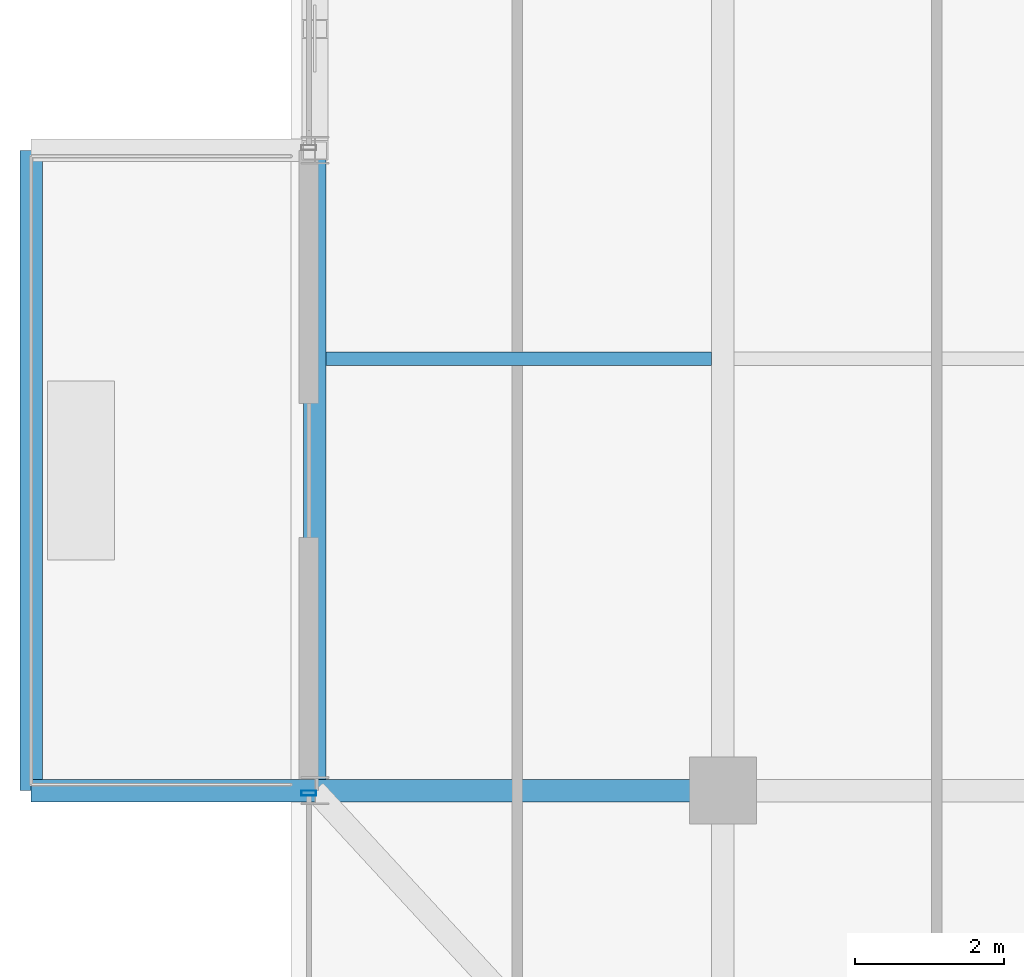
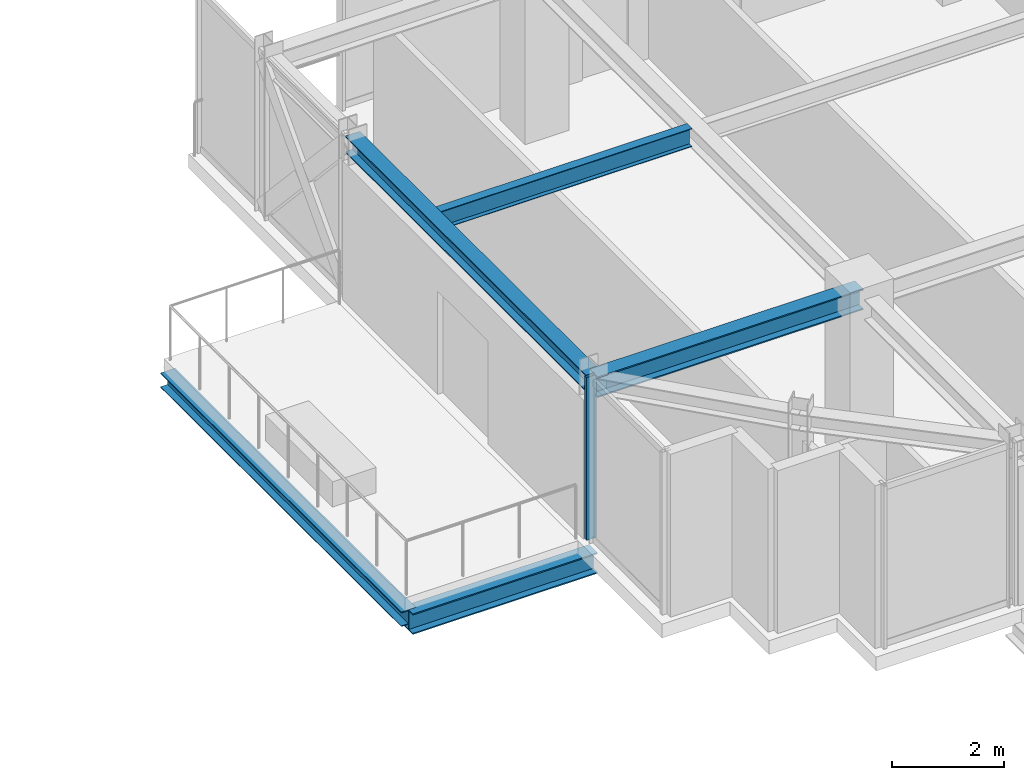
# One storey, part 5 of 37: 5 beams, 1 member, 1 element without a shape of its own.
"""IFC4 building model written with IfcOpenShell, lengths in metres."""

from ifc_helpers import new_model, si_unit, direction, frame, origin, origin_2d, place, context, subcontext, project, spatial, hollow_rectangle, i_section, extrude, source, transform, mapped, material, material_profile, profile_set, type_object, element, aggregate, save


model = new_model("IFC4")

# Units and contexts
model_context = context("Model", 3, precision=1e-05, world=origin(), true_north=direction((0.0, 1.0)))
body_context = subcontext(model_context, "Body", "Model", "MODEL_VIEW")
ifc_project = project(units=[si_unit("LENGTHUNIT", "METRE"), si_unit("AREAUNIT", "SQUARE_METRE"), si_unit("VOLUMEUNIT", "CUBIC_METRE"), si_unit("PLANEANGLEUNIT", "RADIAN"), si_unit("MASSUNIT", "GRAM", prefix="KILO")], contexts=[model_context])

# Site, building, storey
site_placement = place(None, origin())
site = spatial("IfcSite", under=ifc_project, at=site_placement, CompositionType="ELEMENT")
building_placement = place(site_placement, origin())
building = spatial("IfcBuilding", under=site, at=building_placement, Name="Nahalor Promenade Grand Hotel", CompositionType="ELEMENT")
storey_placement = place(building_placement, frame((0.0, 0.0, 308.050048828125)))
storey = spatial("IfcBuildingStorey", under=building, at=storey_placement, Name="L79", CompositionType="ELEMENT", Elevation=308.050048828125)

# Beams
ifc_material_1 = material(Name="Steel S355JR", Category="steel")
ifc_material_profile_1 = material_profile(ifc_material_1, i_section(OverallWidth=0.3, OverallDepth=0.32, WebThickness=0.0115, FlangeThickness=0.0205, at=origin_2d()), Name="HEB 320")
ifc_profile_set_1 = profile_set([ifc_material_profile_1], Name="Steel S355JR")
beam_type_1 = type_object("IfcBeamType", Name="Beam-BalcEdge-HEB320", PredefinedType="SPANDREL", material=ifc_profile_set_1)
shared_shape_1 = source(origin(), body_context, "Body", "SweptSolid", [
    extrude(i_section(OverallWidth=0.3, OverallDepth=0.32, WebThickness=0.0115, FlangeThickness=0.0205, at=origin_2d()), origin(), (0.0, 0.0, 1.0), 8.60009765625),
])
beam_1_placement = place(storey_placement, frame((-26.2900390625, -17.0, -0.43994140625), z_axis=(0.0, 1.0, 0.0), x_axis=(-1.0, 0.0, 0.0)))
element("IfcBeam", 1, at=beam_1_placement, inside=storey, type_object=beam_type_1, Name="BM-L79-BC-02-F", PredefinedType="SPANDREL", context=body_context, shape_type="MappedRepresentation", body=[
    mapped(shared_shape_1, transform((0.0, 0.0, 0.0), scale=1.0)),
])
ifc_material_profile_2 = material_profile(ifc_material_1, i_section(OverallWidth=0.3, OverallDepth=0.45, WebThickness=0.014, FlangeThickness=0.026, at=origin_2d()), Name="HEB 450")
ifc_profile_set_2 = profile_set([ifc_material_profile_2], Name="Steel S355JR")
beam_type_2 = type_object("IfcBeamType", Name="Beam-Outrigger-HEB450", PredefinedType="BEAM", material=ifc_profile_set_2)
shared_shape_2 = source(origin(), body_context, "Body", "SweptSolid", [
    extrude(i_section(OverallWidth=0.3, OverallDepth=0.45, WebThickness=0.014, FlangeThickness=0.026, at=origin_2d()), origin(), (0.0, 0.0, 1.0), 3.81005859375),
])
beam_2_placement = place(storey_placement, frame((-26.2900390625, -17.0, -0.505126953125), z_axis=(1.0, 0.0, 0.0), x_axis=(0.0, 1.0, 0.0)))
element("IfcBeam", 2, at=beam_2_placement, inside=storey, type_object=beam_type_2, Name="BM-L79-BC-02-1", PredefinedType="BEAM", context=body_context, shape_type="MappedRepresentation", body=[
    mapped(shared_shape_2, transform((0.0, 0.0, 0.0), scale=1.0)),
])
ifc_material_profile_3 = material_profile(ifc_material_1, i_section(OverallWidth=0.3, OverallDepth=0.45, WebThickness=0.014, FlangeThickness=0.026, at=origin_2d()), Name="HEB 450")
ifc_profile_set_3 = profile_set([ifc_material_profile_3], Name="Steel S355JR")
beam_type_3 = type_object("IfcBeamType", Name="Beam-Girder-HEB450", PredefinedType="BEAM", material=ifc_profile_set_3)
shared_shape_3 = source(origin(), body_context, "Body", "SweptSolid", [
    extrude(i_section(OverallWidth=0.3, OverallDepth=0.45, WebThickness=0.014, FlangeThickness=0.026, at=origin_2d()), origin(), (0.0, 0.0, 1.0), 5.47998046875),
])
beam_3_placement = place(storey_placement, frame((-22.47998046875, -17.0, 3.324951171875), z_axis=(1.0, 0.0, 0.0), x_axis=(0.0, 1.0, 0.0)))
element("IfcBeam", 3, at=beam_3_placement, inside=storey, type_object=beam_type_3, Name="BM-L79-GX-0-0", PredefinedType="BEAM", context=body_context, shape_type="MappedRepresentation", body=[
    mapped(shared_shape_3, transform((0.0, 0.0, 0.0), scale=1.0)),
])
ifc_material_profile_4 = material_profile(ifc_material_1, i_section(OverallWidth=0.18, OverallDepth=0.4, WebThickness=0.0086, FlangeThickness=0.0135, at=origin_2d()), Name="IPE 400")
ifc_profile_set_4 = profile_set([ifc_material_profile_4], Name="Steel S355JR")
beam_type_4 = type_object("IfcBeamType", Name="Beam-Joist-IPE400", PredefinedType="JOIST", material=ifc_profile_set_4)
shared_shape_4 = source(origin(), body_context, "Body", "SweptSolid", [
    extrude(i_section(OverallWidth=0.18, OverallDepth=0.4, WebThickness=0.0086, FlangeThickness=0.0135, at=origin_2d()), origin(), (0.0, 0.0, 1.0), 5.18017578125),
])
beam_4_placement = place(storey_placement, frame((-22.330078125, -11.199951171875, 3.349853515625), z_axis=(1.0, 0.0, 0.0), x_axis=(0.0, 1.0, 0.0)))
element("IfcBeam", 4, at=beam_4_placement, inside=storey, type_object=beam_type_4, Name="BM-L79-JSW-0-0", PredefinedType="JOIST", context=body_context, shape_type="MappedRepresentation", body=[
    mapped(shared_shape_4, transform((0.0, 0.0, 0.0), scale=1.0)),
])
ifc_material_profile_5 = material_profile(ifc_material_1, i_section(OverallWidth=0.3, OverallDepth=0.36, WebThickness=0.0125, FlangeThickness=0.0225, at=origin_2d()), Name="HEB 360")
ifc_profile_set_5 = profile_set([ifc_material_profile_5], Name="Steel S355JR")
beam_type_5 = type_object("IfcBeamType", Name="Beam-Spandrel-HEB360", PredefinedType="SPANDREL", material=ifc_profile_set_5)
shared_shape_5 = source(origin(), body_context, "Body", "SweptSolid", [
    extrude(i_section(OverallWidth=0.3, OverallDepth=0.36, WebThickness=0.0125, FlangeThickness=0.0225, at=origin_2d()), origin(), (0.0, 0.0, 1.0), 8.60009765625),
])
beam_5_placement = place(storey_placement, frame((-22.47998046875, -17.0, 3.369873046875), z_axis=(0.0, 1.0, 0.0), x_axis=(-1.0, 0.0, 0.0)))
element("IfcBeam", 5, at=beam_5_placement, inside=storey, type_object=beam_type_5, Name="BM-L79-SP-W-0", PredefinedType="SPANDREL", context=body_context, shape_type="MappedRepresentation", body=[
    mapped(shared_shape_5, transform((0.0, 0.0, 0.0), scale=1.0)),
])

# Curtain wall, member
ifc_material_2 = material(Name="Anodised Bronze Aluminium EN AW-6063 T6", Category="aluminium")
curtain_wall_type = type_object("IfcCurtainWallType", Name="CW3 Elliptical-Void Collar Unitised Curtain Wall", PredefinedType="USERDEFINED", material=ifc_material_2)
curtain_wall_placement = place(storey_placement, origin())
curtain_wall = element("IfcCurtainWall", 6, at=curtain_wall_placement, inside=storey, type_object=curtain_wall_type, Name="L79 Curtain Wall CW-L79-W-1", ObjectType="UNITISED_CURTAIN_WALL", PredefinedType="USERDEFINED")
ifc_material_profile_6 = material_profile(ifc_material_2, hollow_rectangle(XDim=0.07, YDim=0.2, WallThickness=0.005, at=origin_2d()), Name="CWM 70x200x5")
ifc_profile_set_6 = profile_set([ifc_material_profile_6], Name="Anodised Bronze Aluminium EN AW-6063 T6")
member_type = type_object("IfcMemberType", Name="CWM3 Void Collar Mullion 70x200", PredefinedType="MULLION", material=ifc_profile_set_6)
shared_shape_6 = source(origin(), body_context, "Body", "SweptSolid", [
    extrude(hollow_rectangle(XDim=0.07, YDim=0.2, WallThickness=0.005, at=origin_2d()), origin(), (0.0, 0.0, 1.0), 3.550048828125),
])
member_placement = place(storey_placement, frame((-22.56005859375, -17.034912109375, 0.0), z_axis=(0.0, 0.0, 1.0), x_axis=(0.0, 1.0, 0.0)))
member = element("IfcMember", 7, at=member_placement, type_object=member_type, Name="CW-L79-W-1 Mullion 1", PredefinedType="MULLION", context=body_context, shape_type="MappedRepresentation", body=[
    mapped(shared_shape_6, transform((0.0, 0.0, 0.0), scale=1.0)),
])
aggregate(curtain_wall, [member])

save(model, "model.ifc")
